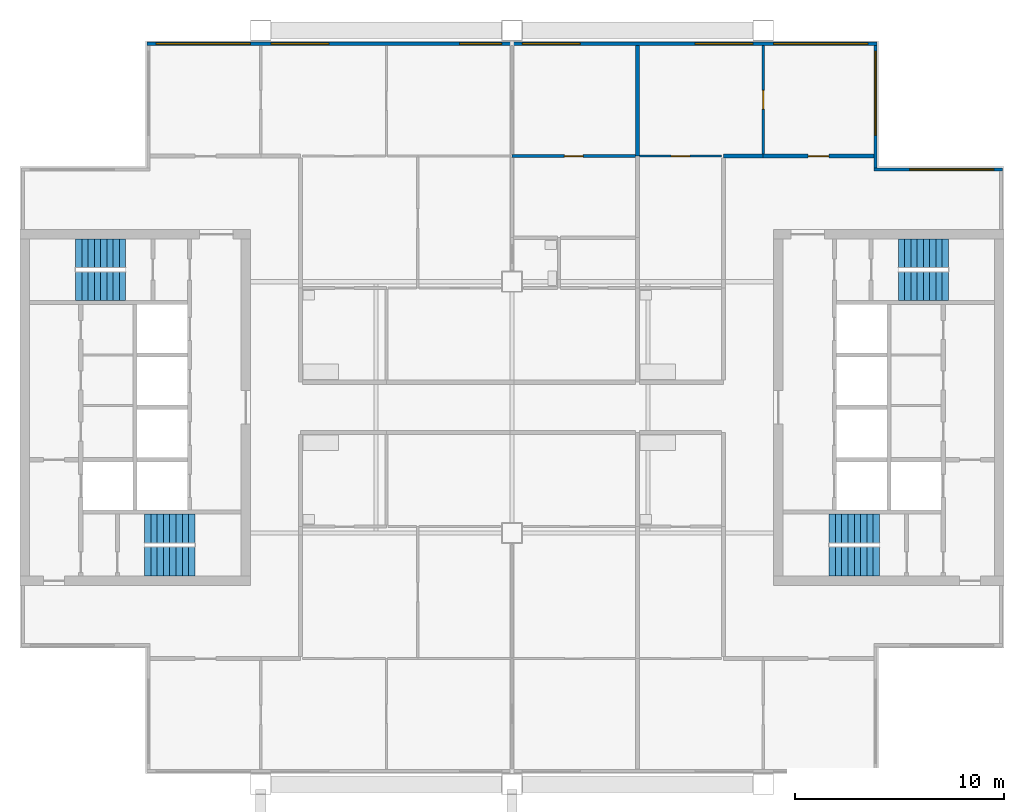
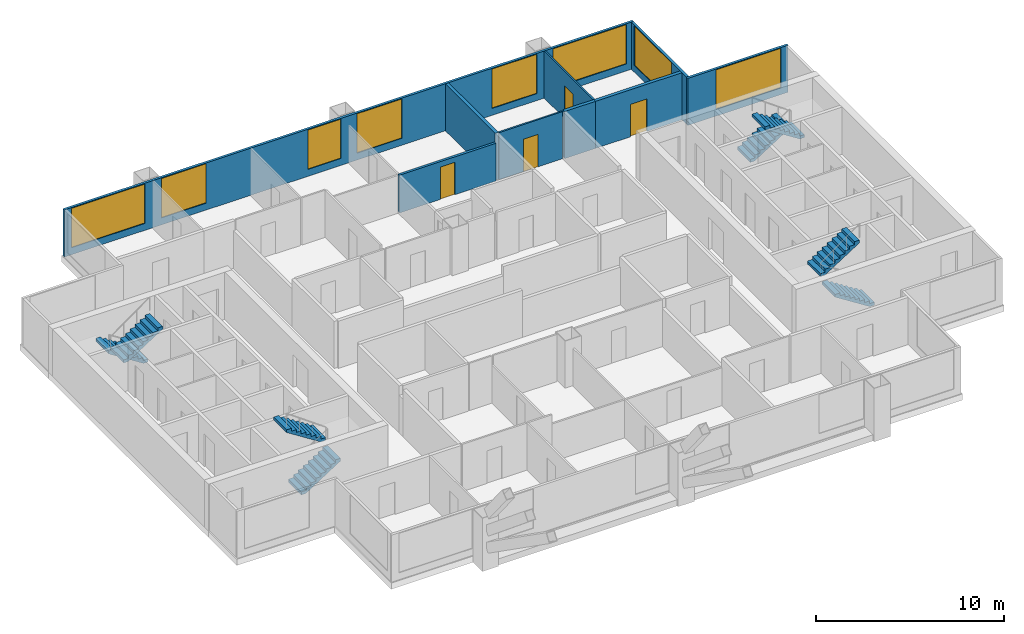
# One storey, part 6 of 8: 9 walls, 8 stair flights, 8 windows, 4 doors, 12 openings, 4 elements without a shape of their own.
"""IFC4 building model written with IfcOpenShell, lengths in metres."""

import ifcopenshell
import ifcopenshell.guid

model = None  # the IFC model being written
_history = None  # IfcOwnerHistory: only IFC2X3 demands one
_inside = {}  # id of a spatial element -> (the spatial element, [elements in it])
_under = {}  # id of a project, library or spatial element -> (it, [spatial elements below it])
_declared = {}  # id of a project -> (the project, [libraries it declares])
_typed = {}  # id of a type object -> (the type object, [elements of that type])
_made_of = {}  # id of a material, layer set ... -> (it, [elements and type objects made of it])


def new_model(schema):
    """Start an empty IFC model of exactly this schema.

    Asked for "IFC4X3", IfcOpenShell would pick the latest addendum, in which some entities
    have other attributes; the version numbers below select the first issue.
    IFC2X3 requires an IfcOwnerHistory on every rooted entity: one is made here for all.
    """
    global model, _history
    if schema == "IFC4X3":
        model = ifcopenshell.file(schema_version=(4, 3, 0, 0))
    else:
        model = ifcopenshell.file(schema=schema)
    _inside.clear()
    _under.clear()
    _declared.clear()
    _typed.clear()
    _made_of.clear()
    _history = None
    if model.schema == "IFC2X3":
        org = make("IfcOrganization", Name="unknown")
        user = make(
            "IfcPersonAndOrganization",
            ThePerson=make("IfcPerson", FamilyName="unknown"),
            TheOrganization=org,
        )
        app = make(
            "IfcApplication",
            ApplicationDeveloper=org,
            Version="unknown",
            ApplicationFullName="unknown",
            ApplicationIdentifier="unknown",
        )
        _history = make(
            "IfcOwnerHistory",
            OwningUser=user,
            OwningApplication=app,
            ChangeAction="ADDED",
            CreationDate=0,
        )
    return model


def make(cls, **values):
    """One entity of the class cls with the attributes given. An attribute that is None is left unset."""
    return model.create_entity(
        cls, **{name: value for name, value in values.items() if value is not None}
    )


def rooted(cls, **values):
    """An entity with a GlobalId (a new one), such as an element, a storey or a relation."""
    return make(cls, GlobalId=ifcopenshell.guid.new(), OwnerHistory=_history, **values)


def si_unit(unit_type, name, prefix=None):
    """IfcSIUnit, for example si_unit("LENGTHUNIT", "METRE", prefix="MILLI")."""
    return make("IfcSIUnit", UnitType=unit_type, Prefix=prefix, Name=name)


def assignment(units):
    """IfcUnitAssignment: the units of a project."""
    return None if units is None else make("IfcUnitAssignment", Units=units)


def point(xyz):
    """IfcCartesianPoint."""
    return None if xyz is None else make("IfcCartesianPoint", Coordinates=xyz)


def direction(xyz):
    """IfcDirection."""
    return None if xyz is None else make("IfcDirection", DirectionRatios=xyz)


def frame(location, z_axis=None, x_axis=None):
    """IfcAxis2Placement3D, a coordinate frame: its origin and axes. An axis left out is left unset."""
    return make(
        "IfcAxis2Placement3D",
        Location=point(location),
        Axis=direction(z_axis),
        RefDirection=direction(x_axis),
    )


def frame_2d(location, x_axis=None):
    """IfcAxis2Placement2D, a coordinate frame in the plane: its origin and x axis."""
    return make(
        "IfcAxis2Placement2D", Location=point(location), RefDirection=direction(x_axis)
    )


def origin():
    """The frame at (0, 0, 0) with its axes left unset."""
    return frame((0.0, 0.0, 0.0))


def place(relative_to, where):
    """IfcLocalPlacement: puts the frame where relative to a parent placement (None: the world)."""
    return make(
        "IfcLocalPlacement", PlacementRelTo=relative_to, RelativePlacement=where
    )


def context(
    kind, dimensions, precision=None, world=None, true_north=None, identifier=None
):
    """IfcGeometricRepresentationContext, for example the 3D "Model" context."""
    return make(
        "IfcGeometricRepresentationContext",
        ContextIdentifier=identifier,
        ContextType=kind,
        CoordinateSpaceDimension=dimensions,
        Precision=precision,
        WorldCoordinateSystem=world,
        TrueNorth=true_north,
    )


def subcontext(parent, identifier, kind, view, scale=None):
    """IfcGeometricRepresentationSubContext, for example "Body" below "Model"."""
    return make(
        "IfcGeometricRepresentationSubContext",
        ContextIdentifier=identifier,
        ContextType=kind,
        ParentContext=parent,
        TargetScale=scale,
        TargetView=view,
    )


def project(units=None, contexts=None):
    """IfcProject with its units and contexts."""
    return rooted(
        "IfcProject",
        Name="project",
        RepresentationContexts=contexts,
        UnitsInContext=assignment(units),
    )


def spatial(cls, under=None, at=None, **own):
    """A site, building, storey or space (cls), placed at a placement, below another one or the project."""
    s = rooted(cls, ObjectPlacement=at, **own)
    if under is not None:
        _under.setdefault(under.id(), (under, []))[1].append(s)
    return s


def polyline(points):
    """IfcPolyline through the points."""
    return make("IfcPolyline", Points=[point(p) for p in points])


def profile(cls, at=None, kind="AREA", **sizes):
    """A parametric profile (cls). Its sizes go by their IFC names, for example OverallWidth=200.0."""
    return make(cls, ProfileType=kind, Position=at, **sizes)


def rectangle(**sizes):
    """IfcRectangleProfileDef."""
    return profile("IfcRectangleProfileDef", **sizes)


def outline(outer, holes=None, kind="AREA"):
    """IfcArbitraryClosedProfileDef: a profile drawn as a closed curve; with holes, ...WithVoids."""
    if holes is None:
        return make("IfcArbitraryClosedProfileDef", ProfileType=kind, OuterCurve=outer)
    return make(
        "IfcArbitraryProfileDefWithVoids",
        ProfileType=kind,
        OuterCurve=outer,
        InnerCurves=holes,
    )


def extrude(swept, where, along, depth):
    """IfcExtrudedAreaSolid: the profile swept, set in the frame where, extruded along a direction by depth."""
    return make(
        "IfcExtrudedAreaSolid",
        SweptArea=swept,
        Position=where,
        ExtrudedDirection=direction(along),
        Depth=depth,
    )


def shape(context_of_items, identifier, shape_type, items):
    """IfcShapeRepresentation: the items that make up one representation, for example the "Body"."""
    return make(
        "IfcShapeRepresentation",
        ContextOfItems=context_of_items,
        RepresentationIdentifier=identifier,
        RepresentationType=shape_type,
        Items=items,
    )


def material(Name=None, Category=None):
    """IfcMaterial."""
    return make("IfcMaterial", Name=Name, Category=Category)


def layer(
    of_material, thickness, ventilated=None, Name=None, Category=None, Priority=None
):
    """IfcMaterialLayer: one layer of a wall or slab, of a material (None: an air gap)."""
    return make(
        "IfcMaterialLayer",
        Material=of_material,
        LayerThickness=thickness,
        IsVentilated=ventilated,
        Name=Name,
        Category=Category,
        Priority=Priority,
    )


def layer_set(layers, Name=None):
    """IfcMaterialLayerSet."""
    return make("IfcMaterialLayerSet", MaterialLayers=layers, LayerSetName=Name)


def made_of(thing, what):
    """Note that an element or type object is made of a material, layer set ...; save() writes the relation."""
    if what is not None:
        _made_of.setdefault(what.id(), (what, []))[1].append(thing)
    return thing


def type_object(cls, material=None, **own):
    """A type object (cls), such as IfcWallType, which elements share."""
    return made_of(rooted(cls, **own), material)


def element(
    cls,
    number,
    at=None,
    inside=None,
    cuts=None,
    type_object=None,
    material=None,
    context=None,
    identifier="Body",
    shape_type=None,
    held_by="IfcProductDefinitionShape",
    body=None,
    shapes=None,
    **own,
):
    """One element of the class cls, such as IfcWall. Its Tag is "e" and its number.

    at: its placement. inside: the storey or other place that contains it. cuts: it is an
    opening in that element (IfcRelVoidsElement). A single representation is given by context,
    identifier, shape_type and body (its items); several are given by shapes. held_by: the class
    of the entity that holds the representations. save() writes the other relations.
    """
    e = rooted(cls, Tag="e%d" % number, ObjectPlacement=at, **own)
    if body is not None:
        shapes = [shape(context, identifier, shape_type, body)]
    if shapes is not None:
        e.Representation = make(held_by, Representations=shapes)
    if inside is not None:
        _inside.setdefault(inside.id(), (inside, []))[1].append(e)
    if cuts is not None:
        rooted(
            "IfcRelVoidsElement", RelatingBuildingElement=cuts, RelatedOpeningElement=e
        )
    if type_object is not None:
        _typed.setdefault(type_object.id(), (type_object, []))[1].append(e)
    return made_of(e, material)


def fill(opening, filler):
    """IfcRelFillsElement: the door or window that sits in an opening."""
    return rooted(
        "IfcRelFillsElement",
        RelatingOpeningElement=opening,
        RelatedBuildingElement=filler,
    )


def aggregate(whole, parts):
    """IfcRelAggregates: a whole, such as a stair, and the parts it consists of."""
    return rooted("IfcRelAggregates", RelatingObject=whole, RelatedObjects=parts)


def save(model, path):
    """Write the relations noted so far, then the file.

    IfcRelAggregates (storeys below a building ...), IfcRelContainedInSpatialStructure (elements
    in a storey), IfcRelDefinesByType, IfcRelAssociatesMaterial and IfcRelDeclares: one each for
    every whole, place, type object, material and project.
    """
    for whole, parts in _under.values():
        aggregate(whole, parts)
    for where, things in _inside.values():
        rooted(
            "IfcRelContainedInSpatialStructure",
            RelatedElements=things,
            RelatingStructure=where,
        )
    for kind, things in _typed.values():
        rooted("IfcRelDefinesByType", RelatedObjects=things, RelatingType=kind)
    for what, things in _made_of.values():
        rooted("IfcRelAssociatesMaterial", RelatedObjects=things, RelatingMaterial=what)
    for by, libraries in _declared.values():
        rooted("IfcRelDeclares", RelatingContext=by, RelatedDefinitions=libraries)
    model.write(path)


model = new_model("IFC4")

# Units and contexts
model_context = context("Model", 3, precision=1e-05, world=origin(), true_north=direction((0.0, 1.0)))
body_context = subcontext(model_context, "Body", "Model", "MODEL_VIEW")
ifc_project = project(units=[si_unit("LENGTHUNIT", "METRE"), si_unit("AREAUNIT", "SQUARE_METRE"), si_unit("VOLUMEUNIT", "CUBIC_METRE"), si_unit("PLANEANGLEUNIT", "RADIAN"), si_unit("MASSUNIT", "GRAM", prefix="KILO")], contexts=[model_context])

# Site, building, storey
site_placement = place(None, origin())
site = spatial("IfcSite", under=ifc_project, at=site_placement, CompositionType="ELEMENT")
building_placement = place(site_placement, origin())
building = spatial("IfcBuilding", under=site, at=building_placement, Name="Kitamizu Gate Tower and Museum", CompositionType="ELEMENT")
storey_placement = place(building_placement, frame((0.0, 0.0, 266.25)))
storey = spatial("IfcBuildingStorey", under=building, at=storey_placement, Name="L72", CompositionType="ELEMENT", Elevation=266.25)

# Wall, opening, door
ifc_material_1 = material(Name="Gypsum board on galvanised stud")
ifc_layer_1 = layer(ifc_material_1, 0.10009765625)
ifc_layer_set_1 = layer_set([ifc_layer_1], Name="Gypsum board on galvanised stud")
wall_type_1 = type_object("IfcWallType", Name="Partition 100 NOT RATED", PredefinedType="PARTITIONING", material=ifc_layer_set_1)
wall_1_placement = place(storey_placement, frame((48.0, 42.10009765625, 0.0), z_axis=(0.0, 0.0, 1.0), x_axis=(0.0, 1.0, 0.0)))
wall_1 = element("IfcWall", 1, at=wall_1_placement, inside=storey, type_object=wall_type_1, Name="Partition L72-067", PredefinedType="PARTITIONING", context=body_context, shape_type="SweptSolid", body=[
    extrude(rectangle(XDim=5.179931640625, YDim=0.10009765625, at=frame_2d((2.58984375, 0.0))), origin(), (0.0, 0.0, 1.0), 3.050048828125),
])
opening_1_placement = place(wall_1_placement, frame((2.139892578125, 0.0, 0.0)))
opening_1 = element("IfcOpeningElement", 2, at=opening_1_placement, cuts=wall_1, Name="Opening L72-026", PredefinedType="OPENING", context=body_context, shape_type="SweptSolid", body=[
    extrude(rectangle(XDim=0.89990234375, YDim=2.10009765625, at=frame_2d((0.449951171875, 1.050048828125))), frame((0.0, 0.06005859375, 0.0), z_axis=(0.0, -1.0, 0.0), x_axis=(1.0, 0.0, 0.0)), (0.0, 0.0, 1.0), 0.1201171875),
])
ifc_material_2 = material(Name="Timber door set", Category="wood")
door_type_1 = type_object("IfcDoorType", Name="Room door 900", OperationType="NOTDEFINED", PredefinedType="DOOR", material=ifc_material_2)
door_1_placement = place(opening_1_placement, origin())
door_1 = element("IfcDoor", 3, at=door_1_placement, inside=storey, type_object=door_type_1, Name="Door L72-026", OperationType="SINGLE_SWING_LEFT", OverallHeight=2.10009765625, OverallWidth=0.89990234375, PredefinedType="DOOR", context=body_context, shape_type="SweptSolid", body=[
    extrude(rectangle(XDim=0.89990234375, YDim=2.10009765625, at=frame_2d((0.449951171875, 1.050048828125))), frame((0.0, 0.02490234375, 0.0), z_axis=(0.0, -1.0, 0.0), x_axis=(1.0, 0.0, 0.0)), (0.0, 0.0, 1.0), 0.050048828125),
])
fill(opening_1, door_1)

wall_2_placement = place(storey_placement, frame((42.10009765625, 42.0, 0.0), z_axis=(0.0, 0.0, 1.0), x_axis=(1.0, 0.0, 0.0)))
wall_2 = element("IfcWall", 4, at=wall_2_placement, inside=storey, type_object=wall_type_1, Name="Partition L72-068", PredefinedType="PARTITIONING", context=body_context, shape_type="SweptSolid", body=[
    extrude(rectangle(XDim=3.89990234375, YDim=0.10009765625, at=frame_2d((1.949951171875, 0.0))), origin(), (0.0, 0.0, 1.0), 3.050048828125),
])
opening_2_placement = place(wall_2_placement, frame((1.5, 0.0, 0.0)))
opening_2 = element("IfcOpeningElement", 5, at=opening_2_placement, cuts=wall_2, Name="Opening L72-027", PredefinedType="OPENING", context=body_context, shape_type="SweptSolid", body=[
    extrude(rectangle(XDim=0.89990234375, YDim=2.10009765625, at=frame_2d((0.449951171875, 1.050048828125))), frame((0.0, 0.06005859375, 0.0), z_axis=(0.0, -1.0, 0.0), x_axis=(1.0, 0.0, 0.0)), (0.0, 0.0, 1.0), 0.1201171875),
])
door_2_placement = place(opening_2_placement, frame((0.89990234375, 0.0, 0.0), x_axis=(-1.0, 0.0, 0.0)))
door_2 = element("IfcDoor", 6, at=door_2_placement, inside=storey, type_object=door_type_1, Name="Door L72-027", OperationType="SINGLE_SWING_LEFT", OverallHeight=2.10009765625, OverallWidth=0.89990234375, PredefinedType="DOOR", context=body_context, shape_type="SweptSolid", body=[
    extrude(rectangle(XDim=0.89990234375, YDim=2.10009765625, at=frame_2d((0.449951171875, 1.050048828125))), frame((0.0, 0.02490234375, 0.0), z_axis=(0.0, -1.0, 0.0), x_axis=(1.0, 0.0, 0.0)), (0.0, 0.0, 1.0), 0.050048828125),
])
fill(opening_2, door_2)

ifc_material_3 = material(Name="Gypsum board on galvanised stud")
ifc_layer_2 = layer(ifc_material_3, 0.14990234375)
ifc_layer_set_2 = layer_set([ifc_layer_2], Name="Gypsum board on galvanised stud")
wall_type_2 = type_object("IfcWallType", Name="Partition 150", PredefinedType="PARTITIONING", material=ifc_layer_set_2)
wall_3_placement = place(storey_placement, frame((36.0, 42.0, 0.0), z_axis=(0.0, 0.0, 1.0), x_axis=(1.0, 0.0, 0.0)))
wall_3 = element("IfcWall", 7, at=wall_3_placement, inside=storey, type_object=wall_type_2, Name="Partition L72-034", PredefinedType="PARTITIONING", context=body_context, shape_type="SweptSolid", body=[
    extrude(rectangle(XDim=5.89990234375, YDim=0.14990234375, at=frame_2d((2.949951171875, 0.0))), origin(), (0.0, 0.0, 1.0), 2.449951171875),
])
opening_3_placement = place(wall_3_placement, frame((2.5, 0.0, 0.0)))
opening_3 = element("IfcOpeningElement", 8, at=opening_3_placement, cuts=wall_3, Name="Opening L72-017", PredefinedType="OPENING", context=body_context, shape_type="SweptSolid", body=[
    extrude(rectangle(XDim=0.89990234375, YDim=2.10009765625, at=frame_2d((0.449951171875, 1.050048828125))), frame((0.0, 0.0849609375, 0.0), z_axis=(0.0, -1.0, 0.0), x_axis=(1.0, 0.0, 0.0)), (0.0, 0.0, 1.0), 0.169921875),
])
ifc_material_4 = material(Name="Timber door set", Category="wood")
door_type_2 = type_object("IfcDoorType", Name="Bathroom door 900", OperationType="NOTDEFINED", PredefinedType="DOOR", material=ifc_material_4)
door_3_placement = place(opening_3_placement, frame((0.89990234375, 0.0, 0.0), x_axis=(-1.0, 0.0, 0.0)))
door_3 = element("IfcDoor", 9, at=door_3_placement, inside=storey, type_object=door_type_2, Name="Bathroom door L72-017", OperationType="SINGLE_SWING_LEFT", OverallHeight=2.10009765625, OverallWidth=0.89990234375, PredefinedType="DOOR", context=body_context, shape_type="SweptSolid", body=[
    extrude(rectangle(XDim=0.89990234375, YDim=2.10009765625, at=frame_2d((0.449951171875, 1.050048828125))), frame((0.0, 0.02490234375, 0.0), z_axis=(0.0, -1.0, 0.0), x_axis=(1.0, 0.0, 0.0)), (0.0, 0.0, 1.0), 0.050048828125),
])
fill(opening_3, door_3)

# Walls
ifc_material_5 = material(Name="Gypsum board on galvanised stud")
ifc_layer_3 = layer(ifc_material_5, 0.199951171875)
ifc_layer_set_3 = layer_set([ifc_layer_3], Name="Gypsum board on galvanised stud")
wall_type_3 = type_object("IfcWallType", Name="Partition 200", PredefinedType="PARTITIONING", material=ifc_layer_set_3)
wall_4_placement = place(storey_placement, frame((42.0, 42.0, 0.0), z_axis=(0.0, 0.0, 1.0), x_axis=(0.0, 1.0, 0.0)))
element("IfcWall", 10, at=wall_4_placement, inside=storey, type_object=wall_type_3, Name="Partition L72-035", PredefinedType="PARTITIONING", context=body_context, shape_type="SweptSolid", body=[
    extrude(rectangle(XDim=5.280029296875, YDim=0.199951171875, at=frame_2d((2.64013671875, 0.0))), origin(), (0.0, 0.0, 1.0), 3.050048828125),
])
wall_5_placement = place(storey_placement, frame((46.10009765625, 42.0, 0.0), z_axis=(0.0, 0.0, 1.0), x_axis=(1.0, 0.0, 0.0)))
element("IfcWall", 11, at=wall_5_placement, inside=storey, type_object=wall_type_3, Name="Partition L72-069", PredefinedType="PARTITIONING", context=body_context, shape_type="SweptSolid", body=[
    extrude(rectangle(XDim=1.89990234375, YDim=0.199951171875, at=frame_2d((0.949951171875, 0.0))), origin(), (0.0, 0.0, 1.0), 3.050048828125),
])

# Wall, opening, door
wall_6_placement = place(storey_placement, frame((48.0, 42.0, 0.0), z_axis=(0.0, 0.0, 1.0), x_axis=(1.0, 0.0, 0.0)))
wall_6 = element("IfcWall", 12, at=wall_6_placement, inside=storey, type_object=wall_type_3, Name="Partition L72-070", PredefinedType="PARTITIONING", context=body_context, shape_type="SweptSolid", body=[
    extrude(rectangle(XDim=5.280029296875, YDim=0.199951171875, at=frame_2d((2.64013671875, 0.0))), origin(), (0.0, 0.0, 1.0), 3.050048828125),
])
opening_4_placement = place(wall_6_placement, frame((2.139892578125, 0.0, 0.0)))
opening_4 = element("IfcOpeningElement", 13, at=opening_4_placement, cuts=wall_6, Name="Opening L72-025", PredefinedType="OPENING", context=body_context, shape_type="SweptSolid", body=[
    extrude(rectangle(XDim=1.0, YDim=2.10009765625, at=frame_2d((0.5, 1.050048828125))), frame((0.0, 0.10986328125, 0.0), z_axis=(0.0, -1.0, 0.0), x_axis=(1.0, 0.0, 0.0)), (0.0, 0.0, 1.0), 0.219970703125),
])
ifc_material_6 = material(Name="Timber door set", Category="wood")
door_type_3 = type_object("IfcDoorType", Name="Flat entrance door 1000", OperationType="NOTDEFINED", PredefinedType="DOOR", material=ifc_material_6)
door_4_placement = place(opening_4_placement, origin())
door_4 = element("IfcDoor", 14, at=door_4_placement, inside=storey, type_object=door_type_3, Name="Flat entrance door L72-025", OperationType="SINGLE_SWING_RIGHT", OverallHeight=2.10009765625, OverallWidth=1.0, PredefinedType="DOOR", context=body_context, shape_type="SweptSolid", body=[
    extrude(rectangle(XDim=1.0, YDim=2.10009765625, at=frame_2d((0.5, 1.050048828125))), frame((0.0, 0.02490234375, 0.0), z_axis=(0.0, -1.0, 0.0), x_axis=(1.0, 0.0, 0.0)), (0.0, 0.0, 1.0), 0.050048828125),
])
fill(opening_4, door_4)

# Wall, opening, window
ifc_material_7 = material(Name="Bronze anodised aluminium frame with insulated spandrel and tinted glass", Category="aluminium")
ifc_layer_4 = layer(ifc_material_7, 0.14990234375)
ifc_layer_set_4 = layer_set([ifc_layer_4], Name="Bronze anodised aluminium frame with insulated spandrel and tinted glass")
wall_type_4 = type_object("IfcWallType", Name="WINDOW WALL 150 BRONZE FRAME EI 30", PredefinedType="ELEMENTEDWALL", material=ifc_layer_set_4)
wall_7_placement = place(storey_placement, frame((53.2900390625, 41.364990234375, 0.0), z_axis=(0.0, 0.0, 1.0), x_axis=(1.0, 0.0, 0.0)))
wall_7 = element("IfcWall", 15, at=wall_7_placement, inside=storey, type_object=wall_type_4, Name="Window wall north L72", PredefinedType="ELEMENTEDWALL", context=body_context, shape_type="SweptSolid", body=[
    extrude(rectangle(XDim=6.14990234375, YDim=0.14990234375, at=frame_2d((3.074951171875, 0.0))), origin(), (0.0, 0.0, 1.0), 3.050048828125),
])
opening_5_placement = place(wall_7_placement, frame((1.7099609375, 0.0, 0.449951171875)))
opening_5 = element("IfcOpeningElement", 16, at=opening_5_placement, cuts=wall_7, Name="Opening W16", PredefinedType="OPENING", context=body_context, shape_type="SweptSolid", body=[
    extrude(rectangle(XDim=4.0, YDim=2.550048828125, at=frame_2d((2.0, 1.27490234375))), frame((0.0, 0.0849609375, 0.0), z_axis=(0.0, -1.0, 0.0), x_axis=(1.0, 0.0, 0.0)), (0.0, 0.0, 1.0), 0.169921875),
])
ifc_material_8 = material(Name="Bronze anodised aluminium frame, tinted triple glazing", Category="aluminium")
window_type_1 = type_object("IfcWindowType", Name="WINDOW 4000 x 2550 SILL 450", PartitioningType="SINGLE_PANEL", PredefinedType="WINDOW", material=ifc_material_8)
window_1_placement = place(opening_5_placement, origin())
window_1 = element("IfcWindow", 17, at=window_1_placement, inside=storey, type_object=window_type_1, Name="Window W16 L72", OverallHeight=2.550048828125, OverallWidth=4.0, PartitioningType="SINGLE_PANEL", PredefinedType="WINDOW", context=body_context, shape_type="SweptSolid", body=[
    extrude(rectangle(XDim=4.0, YDim=2.550048828125, at=frame_2d((2.0, 1.27490234375))), frame((0.0, 0.030029296875, 0.0), z_axis=(0.0, -1.0, 0.0), x_axis=(1.0, 0.0, 0.0)), (0.0, 0.0, 1.0), 0.06005859375),
])
fill(opening_5, window_1)

wall_8_placement = place(storey_placement, frame((53.364990234375, 41.43994140625, 0.0), z_axis=(0.0, 0.0, 1.0), x_axis=(0.0, 1.0, 0.0)))
wall_8 = element("IfcWall", 18, at=wall_8_placement, inside=storey, type_object=wall_type_4, Name="Window wall east L72", PredefinedType="ELEMENTEDWALL", context=body_context, shape_type="SweptSolid", body=[
    extrude(rectangle(XDim=5.85009765625, YDim=0.14990234375, at=frame_2d((2.925048828125, 0.0))), origin(), (0.0, 0.0, 1.0), 3.050048828125),
])
opening_6_placement = place(wall_8_placement, frame((1.56005859375, 0.0, 0.449951171875)))
opening_6 = element("IfcOpeningElement", 19, at=opening_6_placement, cuts=wall_8, Name="Opening W16", PredefinedType="OPENING", context=body_context, shape_type="SweptSolid", body=[
    extrude(rectangle(XDim=4.0, YDim=2.550048828125, at=frame_2d((2.0, 1.27490234375))), frame((0.0, 0.0849609375, 0.0), z_axis=(0.0, -1.0, 0.0), x_axis=(1.0, 0.0, 0.0)), (0.0, 0.0, 1.0), 0.169921875),
])
window_2_placement = place(opening_6_placement, origin())
window_2 = element("IfcWindow", 20, at=window_2_placement, inside=storey, type_object=window_type_1, Name="Window W16 L72", OverallHeight=2.550048828125, OverallWidth=4.0, PartitioningType="SINGLE_PANEL", PredefinedType="WINDOW", context=body_context, shape_type="SweptSolid", body=[
    extrude(rectangle(XDim=4.0, YDim=2.550048828125, at=frame_2d((2.0, 1.27490234375))), frame((0.0, 0.030029296875, 0.0), z_axis=(0.0, -1.0, 0.0), x_axis=(1.0, 0.0, 0.0)), (0.0, 0.0, 1.0), 0.06005859375),
])
fill(opening_6, window_2)

# Wall, openings, windows
wall_9_placement = place(storey_placement, frame((18.56005859375, 47.364990234375, 0.0), z_axis=(0.0, 0.0, 1.0), x_axis=(1.0, 0.0, 0.0)))
wall_9 = element("IfcWall", 21, at=wall_9_placement, inside=storey, type_object=wall_type_4, Name="Window wall north L72", PredefinedType="ELEMENTEDWALL", context=body_context, shape_type="SweptSolid", body=[
    extrude(rectangle(XDim=34.8798828125, YDim=0.14990234375, at=frame_2d((17.43994140625, 0.0))), origin(), (0.0, 0.0, 1.0), 3.050048828125),
])
opening_7_placement = place(wall_9_placement, frame((0.43994140625, 0.0, 0.449951171875)))
opening_7 = element("IfcOpeningElement", 22, at=opening_7_placement, cuts=wall_9, Name="Opening W15", PredefinedType="OPENING", context=body_context, shape_type="SweptSolid", body=[
    extrude(rectangle(XDim=4.5, YDim=2.550048828125, at=frame_2d((2.25, 1.27490234375))), frame((0.0, 0.0849609375, 0.0), z_axis=(0.0, -1.0, 0.0), x_axis=(1.0, 0.0, 0.0)), (0.0, 0.0, 1.0), 0.169921875),
])
opening_8_placement = place(wall_9_placement, frame((5.93994140625, 0.0, 0.449951171875)))
opening_8 = element("IfcOpeningElement", 23, at=opening_8_placement, cuts=wall_9, Name="Opening W32", PredefinedType="OPENING", context=body_context, shape_type="SweptSolid", body=[
    extrude(rectangle(XDim=2.75, YDim=2.550048828125, at=frame_2d((1.375, 1.27490234375))), frame((0.0, 0.0849609375, 0.0), z_axis=(0.0, -1.0, 0.0), x_axis=(1.0, 0.0, 0.0)), (0.0, 0.0, 1.0), 0.169921875),
])
opening_9_placement = place(wall_9_placement, frame((14.93994140625, 0.0, 0.449951171875)))
opening_9 = element("IfcOpeningElement", 24, at=opening_9_placement, cuts=wall_9, Name="Opening W2", PredefinedType="OPENING", context=body_context, shape_type="SweptSolid", body=[
    extrude(rectangle(XDim=2.0, YDim=2.550048828125, at=frame_2d((1.0, 1.27490234375))), frame((0.0, 0.0849609375, 0.0), z_axis=(0.0, -1.0, 0.0), x_axis=(1.0, 0.0, 0.0)), (0.0, 0.0, 1.0), 0.169921875),
])
opening_10_placement = place(wall_9_placement, frame((17.93994140625, 0.0, 0.449951171875)))
opening_10 = element("IfcOpeningElement", 25, at=opening_10_placement, cuts=wall_9, Name="Opening W32", PredefinedType="OPENING", context=body_context, shape_type="SweptSolid", body=[
    extrude(rectangle(XDim=2.75, YDim=2.550048828125, at=frame_2d((1.375, 1.27490234375))), frame((0.0, 0.0849609375, 0.0), z_axis=(0.0, -1.0, 0.0), x_axis=(1.0, 0.0, 0.0)), (0.0, 0.0, 1.0), 0.169921875),
])
opening_11_placement = place(wall_9_placement, frame((26.18994140625, 0.0, 0.449951171875)))
opening_11 = element("IfcOpeningElement", 26, at=opening_11_placement, cuts=wall_9, Name="Opening W32", PredefinedType="OPENING", context=body_context, shape_type="SweptSolid", body=[
    extrude(rectangle(XDim=2.75, YDim=2.550048828125, at=frame_2d((1.375, 1.27490234375))), frame((0.0, 0.0849609375, 0.0), z_axis=(0.0, -1.0, 0.0), x_axis=(1.0, 0.0, 0.0)), (0.0, 0.0, 1.0), 0.169921875),
])
opening_12_placement = place(wall_9_placement, frame((29.93994140625, 0.0, 0.449951171875)))
opening_12 = element("IfcOpeningElement", 27, at=opening_12_placement, cuts=wall_9, Name="Opening W15", PredefinedType="OPENING", context=body_context, shape_type="SweptSolid", body=[
    extrude(rectangle(XDim=4.5, YDim=2.550048828125, at=frame_2d((2.25, 1.27490234375))), frame((0.0, 0.0849609375, 0.0), z_axis=(0.0, -1.0, 0.0), x_axis=(1.0, 0.0, 0.0)), (0.0, 0.0, 1.0), 0.169921875),
])
ifc_material_9 = material(Name="Bronze anodised aluminium frame, tinted triple glazing", Category="aluminium")
window_type_2 = type_object("IfcWindowType", Name="WINDOW 2000 x 2550 SILL 450", PartitioningType="SINGLE_PANEL", PredefinedType="WINDOW", material=ifc_material_9)
window_3_placement = place(opening_9_placement, origin())
window_3 = element("IfcWindow", 28, at=window_3_placement, inside=storey, type_object=window_type_2, Name="Window W2 L72", OverallHeight=2.550048828125, OverallWidth=2.0, PartitioningType="SINGLE_PANEL", PredefinedType="WINDOW", context=body_context, shape_type="SweptSolid", body=[
    extrude(rectangle(XDim=2.0, YDim=2.550048828125, at=frame_2d((1.0, 1.27490234375))), frame((0.0, 0.030029296875, 0.0), z_axis=(0.0, -1.0, 0.0), x_axis=(1.0, 0.0, 0.0)), (0.0, 0.0, 1.0), 0.06005859375),
])
fill(opening_9, window_3)
ifc_material_10 = material(Name="Bronze anodised aluminium frame, tinted triple glazing", Category="aluminium")
window_type_3 = type_object("IfcWindowType", Name="WINDOW 2750 x 2550 SILL 450", PartitioningType="SINGLE_PANEL", PredefinedType="WINDOW", material=ifc_material_10)
window_4_placement = place(opening_8_placement, origin())
window_4 = element("IfcWindow", 29, at=window_4_placement, inside=storey, type_object=window_type_3, Name="Window W32 L72", OverallHeight=2.550048828125, OverallWidth=2.75, PartitioningType="SINGLE_PANEL", PredefinedType="WINDOW", context=body_context, shape_type="SweptSolid", body=[
    extrude(rectangle(XDim=2.75, YDim=2.550048828125, at=frame_2d((1.375, 1.27490234375))), frame((0.0, 0.030029296875, 0.0), z_axis=(0.0, -1.0, 0.0), x_axis=(1.0, 0.0, 0.0)), (0.0, 0.0, 1.0), 0.06005859375),
])
fill(opening_8, window_4)
window_5_placement = place(opening_10_placement, origin())
window_5 = element("IfcWindow", 30, at=window_5_placement, inside=storey, type_object=window_type_3, Name="Window W32 L72", OverallHeight=2.550048828125, OverallWidth=2.75, PartitioningType="SINGLE_PANEL", PredefinedType="WINDOW", context=body_context, shape_type="SweptSolid", body=[
    extrude(rectangle(XDim=2.75, YDim=2.550048828125, at=frame_2d((1.375, 1.27490234375))), frame((0.0, 0.030029296875, 0.0), z_axis=(0.0, -1.0, 0.0), x_axis=(1.0, 0.0, 0.0)), (0.0, 0.0, 1.0), 0.06005859375),
])
fill(opening_10, window_5)
window_6_placement = place(opening_11_placement, origin())
window_6 = element("IfcWindow", 31, at=window_6_placement, inside=storey, type_object=window_type_3, Name="Window W32 L72", OverallHeight=2.550048828125, OverallWidth=2.75, PartitioningType="SINGLE_PANEL", PredefinedType="WINDOW", context=body_context, shape_type="SweptSolid", body=[
    extrude(rectangle(XDim=2.75, YDim=2.550048828125, at=frame_2d((1.375, 1.27490234375))), frame((0.0, 0.030029296875, 0.0), z_axis=(0.0, -1.0, 0.0), x_axis=(1.0, 0.0, 0.0)), (0.0, 0.0, 1.0), 0.06005859375),
])
fill(opening_11, window_6)
ifc_material_11 = material(Name="Bronze anodised aluminium frame, tinted triple glazing", Category="aluminium")
window_type_4 = type_object("IfcWindowType", Name="WINDOW 4500 x 2550 SILL 450", PartitioningType="SINGLE_PANEL", PredefinedType="WINDOW", material=ifc_material_11)
window_7_placement = place(opening_7_placement, origin())
window_7 = element("IfcWindow", 32, at=window_7_placement, inside=storey, type_object=window_type_4, Name="Window W15 L72", OverallHeight=2.550048828125, OverallWidth=4.5, PartitioningType="SINGLE_PANEL", PredefinedType="WINDOW", context=body_context, shape_type="SweptSolid", body=[
    extrude(rectangle(XDim=4.5, YDim=2.550048828125, at=frame_2d((2.25, 1.27490234375))), frame((0.0, 0.030029296875, 0.0), z_axis=(0.0, -1.0, 0.0), x_axis=(1.0, 0.0, 0.0)), (0.0, 0.0, 1.0), 0.06005859375),
])
fill(opening_7, window_7)
window_8_placement = place(opening_12_placement, origin())
window_8 = element("IfcWindow", 33, at=window_8_placement, inside=storey, type_object=window_type_4, Name="Window W15 L72", OverallHeight=2.550048828125, OverallWidth=4.5, PartitioningType="SINGLE_PANEL", PredefinedType="WINDOW", context=body_context, shape_type="SweptSolid", body=[
    extrude(rectangle(XDim=4.5, YDim=2.550048828125, at=frame_2d((2.25, 1.27490234375))), frame((0.0, 0.030029296875, 0.0), z_axis=(0.0, -1.0, 0.0), x_axis=(1.0, 0.0, 0.0)), (0.0, 0.0, 1.0), 0.06005859375),
])
fill(opening_12, window_8)

# Stair, stair flights
ifc_material_12 = material(Name="Concrete Fc42", Category="concrete")
stair_type = type_object("IfcStairType", Name="Exit stair 1375 wide 192 rise 300 going", PredefinedType="HALF_TURN_STAIR", material=ifc_material_12)
stair_1_placement = place(storey_placement, origin())
stair_1 = element("IfcStair", 34, at=stair_1_placement, inside=storey, type_object=stair_type, Name="Exit stair ST1", PredefinedType="HALF_TURN_STAIR")
ifc_material_13 = material(Name="Concrete Fc42", Category="concrete")
stair_flight_type = type_object("IfcStairFlightType", Name="Stair flight 1375 wide 192 rise 300 going", PredefinedType="STRAIGHT", material=ifc_material_13)
stair_flight_1_placement = place(storey_placement, frame((18.449951171875, 22.637451171875, 0.0), z_axis=(0.0, 0.0, 1.0), x_axis=(1.0, 0.0, 0.0)))
stair_flight_1 = element("IfcStairFlight", 35, at=stair_flight_1_placement, type_object=stair_flight_type, Name="ST1 flight 1", NumberOfRisers=9, NumberOfTreads=8, PredefinedType="STRAIGHT", RiserHeight=0.191666667, TreadLength=0.3, context=body_context, shape_type="SweptSolid", body=[
    extrude(outline(polyline([(0.0, 0.0), (0.0, 0.191650390625), (0.300048828125, 0.191650390625), (0.300048828125, 0.38330078125), (0.60009765625, 0.38330078125), (0.60009765625, 0.574951171875), (0.89990234375, 0.574951171875), (0.89990234375, 0.7666015625), (1.199951171875, 0.7666015625), (1.199951171875, 0.958251953125), (1.5, 0.958251953125), (1.5, 1.14990234375), (1.800048828125, 1.14990234375), (1.800048828125, 1.341552734375), (2.10009765625, 1.341552734375), (2.10009765625, 1.533447265625), (2.39990234375, 1.533447265625), (2.39990234375, 1.72509765625), (2.39990234375, 1.35546875), (0.2783203125, 0.0), (0.0, 0.0)])), frame((0.0, 0.6875, 0.0), z_axis=(0.0, -1.0, 0.0), x_axis=(1.0, 0.0, 0.0)), (0.0, 0.0, 1.0), 1.375),
])
stair_flight_2_placement = place(storey_placement, frame((20.85009765625, 24.21240234375, 1.72509765625), z_axis=(0.0, 0.0, 1.0), x_axis=(-1.0, 0.0, 0.0)))
stair_flight_2 = element("IfcStairFlight", 36, at=stair_flight_2_placement, type_object=stair_flight_type, Name="ST1 flight 2", NumberOfRisers=9, NumberOfTreads=8, PredefinedType="STRAIGHT", RiserHeight=0.191666667, TreadLength=0.3, context=body_context, shape_type="SweptSolid", body=[
    extrude(outline(polyline([(0.0, 0.0), (0.0, 0.191650390625), (0.300048828125, 0.191650390625), (0.300048828125, 0.38330078125), (0.60009765625, 0.38330078125), (0.60009765625, 0.574951171875), (0.89990234375, 0.574951171875), (0.89990234375, 0.7666015625), (1.199951171875, 0.7666015625), (1.199951171875, 0.958251953125), (1.5, 0.958251953125), (1.5, 1.14990234375), (1.800048828125, 1.14990234375), (1.800048828125, 1.341552734375), (2.10009765625, 1.341552734375), (2.10009765625, 1.533447265625), (2.39990234375, 1.533447265625), (2.39990234375, 1.72509765625), (2.39990234375, 1.35546875), (0.2783203125, 0.0), (0.0, 0.0)])), frame((0.0, 0.6875, 0.0), z_axis=(0.0, -1.0, 0.0), x_axis=(1.0, 0.0, 0.0)), (0.0, 0.0, 1.0), 1.375),
])
aggregate(stair_1, [stair_flight_1, stair_flight_2])

stair_2_placement = place(storey_placement, origin())
stair_2 = element("IfcStair", 37, at=stair_2_placement, inside=storey, type_object=stair_type, Name="Exit stair ST2", PredefinedType="HALF_TURN_STAIR")
stair_flight_3_placement = place(storey_placement, frame((17.550048828125, 37.362548828125, 0.0), z_axis=(0.0, 0.0, 1.0), x_axis=(-1.0, 0.0, 0.0)))
stair_flight_3 = element("IfcStairFlight", 38, at=stair_flight_3_placement, type_object=stair_flight_type, Name="ST2 flight 1", NumberOfRisers=9, NumberOfTreads=8, PredefinedType="STRAIGHT", RiserHeight=0.191666667, TreadLength=0.3, context=body_context, shape_type="SweptSolid", body=[
    extrude(outline(polyline([(0.0, 0.0), (0.0, 0.191650390625), (0.300048828125, 0.191650390625), (0.300048828125, 0.38330078125), (0.60009765625, 0.38330078125), (0.60009765625, 0.574951171875), (0.89990234375, 0.574951171875), (0.89990234375, 0.7666015625), (1.199951171875, 0.7666015625), (1.199951171875, 0.958251953125), (1.5, 0.958251953125), (1.5, 1.14990234375), (1.800048828125, 1.14990234375), (1.800048828125, 1.341552734375), (2.10009765625, 1.341552734375), (2.10009765625, 1.533447265625), (2.39990234375, 1.533447265625), (2.39990234375, 1.72509765625), (2.39990234375, 1.35546875), (0.2783203125, 0.0), (0.0, 0.0)])), frame((0.0, 0.6875, 0.0), z_axis=(0.0, -1.0, 0.0), x_axis=(1.0, 0.0, 0.0)), (0.0, 0.0, 1.0), 1.375),
])
stair_flight_4_placement = place(storey_placement, frame((15.14990234375, 35.78759765625, 1.72509765625), z_axis=(0.0, 0.0, 1.0), x_axis=(1.0, 0.0, 0.0)))
stair_flight_4 = element("IfcStairFlight", 39, at=stair_flight_4_placement, type_object=stair_flight_type, Name="ST2 flight 2", NumberOfRisers=9, NumberOfTreads=8, PredefinedType="STRAIGHT", RiserHeight=0.191666667, TreadLength=0.3, context=body_context, shape_type="SweptSolid", body=[
    extrude(outline(polyline([(0.0, 0.0), (0.0, 0.191650390625), (0.300048828125, 0.191650390625), (0.300048828125, 0.38330078125), (0.60009765625, 0.38330078125), (0.60009765625, 0.574951171875), (0.89990234375, 0.574951171875), (0.89990234375, 0.7666015625), (1.199951171875, 0.7666015625), (1.199951171875, 0.958251953125), (1.5, 0.958251953125), (1.5, 1.14990234375), (1.800048828125, 1.14990234375), (1.800048828125, 1.341552734375), (2.10009765625, 1.341552734375), (2.10009765625, 1.533447265625), (2.39990234375, 1.533447265625), (2.39990234375, 1.72509765625), (2.39990234375, 1.35546875), (0.2783203125, 0.0), (0.0, 0.0)])), frame((0.0, 0.6875, 0.0), z_axis=(0.0, -1.0, 0.0), x_axis=(1.0, 0.0, 0.0)), (0.0, 0.0, 1.0), 1.375),
])
aggregate(stair_2, [stair_flight_3, stair_flight_4])

stair_3_placement = place(storey_placement, origin())
stair_3 = element("IfcStair", 40, at=stair_3_placement, inside=storey, type_object=stair_type, Name="Exit stair ST3", PredefinedType="HALF_TURN_STAIR")
stair_flight_5_placement = place(storey_placement, frame((53.550048828125, 22.637451171875, 0.0), z_axis=(0.0, 0.0, 1.0), x_axis=(-1.0, 0.0, 0.0)))
stair_flight_5 = element("IfcStairFlight", 41, at=stair_flight_5_placement, type_object=stair_flight_type, Name="ST3 flight 1", NumberOfRisers=9, NumberOfTreads=8, PredefinedType="STRAIGHT", RiserHeight=0.191666667, TreadLength=0.3, context=body_context, shape_type="SweptSolid", body=[
    extrude(outline(polyline([(0.0, 0.0), (0.0, 0.191650390625), (0.300048828125, 0.191650390625), (0.300048828125, 0.38330078125), (0.60009765625, 0.38330078125), (0.60009765625, 0.574951171875), (0.89990234375, 0.574951171875), (0.89990234375, 0.7666015625), (1.199951171875, 0.7666015625), (1.199951171875, 0.958251953125), (1.5, 0.958251953125), (1.5, 1.14990234375), (1.800048828125, 1.14990234375), (1.800048828125, 1.341552734375), (2.10009765625, 1.341552734375), (2.10009765625, 1.533447265625), (2.39990234375, 1.533447265625), (2.39990234375, 1.72509765625), (2.39990234375, 1.35546875), (0.2783203125, 0.0), (0.0, 0.0)])), frame((0.0, 0.6875, 0.0), z_axis=(0.0, -1.0, 0.0), x_axis=(1.0, 0.0, 0.0)), (0.0, 0.0, 1.0), 1.375),
])
stair_flight_6_placement = place(storey_placement, frame((51.14990234375, 24.21240234375, 1.72509765625), z_axis=(0.0, 0.0, 1.0), x_axis=(1.0, 0.0, 0.0)))
stair_flight_6 = element("IfcStairFlight", 42, at=stair_flight_6_placement, type_object=stair_flight_type, Name="ST3 flight 2", NumberOfRisers=9, NumberOfTreads=8, PredefinedType="STRAIGHT", RiserHeight=0.191666667, TreadLength=0.3, context=body_context, shape_type="SweptSolid", body=[
    extrude(outline(polyline([(0.0, 0.0), (0.0, 0.191650390625), (0.300048828125, 0.191650390625), (0.300048828125, 0.38330078125), (0.60009765625, 0.38330078125), (0.60009765625, 0.574951171875), (0.89990234375, 0.574951171875), (0.89990234375, 0.7666015625), (1.199951171875, 0.7666015625), (1.199951171875, 0.958251953125), (1.5, 0.958251953125), (1.5, 1.14990234375), (1.800048828125, 1.14990234375), (1.800048828125, 1.341552734375), (2.10009765625, 1.341552734375), (2.10009765625, 1.533447265625), (2.39990234375, 1.533447265625), (2.39990234375, 1.72509765625), (2.39990234375, 1.35546875), (0.2783203125, 0.0), (0.0, 0.0)])), frame((0.0, 0.6875, 0.0), z_axis=(0.0, -1.0, 0.0), x_axis=(1.0, 0.0, 0.0)), (0.0, 0.0, 1.0), 1.375),
])
aggregate(stair_3, [stair_flight_5, stair_flight_6])

stair_4_placement = place(storey_placement, origin())
stair_4 = element("IfcStair", 43, at=stair_4_placement, inside=storey, type_object=stair_type, Name="Exit stair ST4", PredefinedType="HALF_TURN_STAIR")
stair_flight_7_placement = place(storey_placement, frame((54.449951171875, 37.362548828125, 0.0), z_axis=(0.0, 0.0, 1.0), x_axis=(1.0, 0.0, 0.0)))
stair_flight_7 = element("IfcStairFlight", 44, at=stair_flight_7_placement, type_object=stair_flight_type, Name="ST4 flight 1", NumberOfRisers=9, NumberOfTreads=8, PredefinedType="STRAIGHT", RiserHeight=0.191666667, TreadLength=0.3, context=body_context, shape_type="SweptSolid", body=[
    extrude(outline(polyline([(0.0, 0.0), (0.0, 0.191650390625), (0.300048828125, 0.191650390625), (0.300048828125, 0.38330078125), (0.60009765625, 0.38330078125), (0.60009765625, 0.574951171875), (0.89990234375, 0.574951171875), (0.89990234375, 0.7666015625), (1.199951171875, 0.7666015625), (1.199951171875, 0.958251953125), (1.5, 0.958251953125), (1.5, 1.14990234375), (1.800048828125, 1.14990234375), (1.800048828125, 1.341552734375), (2.10009765625, 1.341552734375), (2.10009765625, 1.533447265625), (2.39990234375, 1.533447265625), (2.39990234375, 1.72509765625), (2.39990234375, 1.35546875), (0.2783203125, 0.0), (0.0, 0.0)])), frame((0.0, 0.6875, 0.0), z_axis=(0.0, -1.0, 0.0), x_axis=(1.0, 0.0, 0.0)), (0.0, 0.0, 1.0), 1.375),
])
stair_flight_8_placement = place(storey_placement, frame((56.85009765625, 35.78759765625, 1.72509765625), z_axis=(0.0, 0.0, 1.0), x_axis=(-1.0, 0.0, 0.0)))
stair_flight_8 = element("IfcStairFlight", 45, at=stair_flight_8_placement, type_object=stair_flight_type, Name="ST4 flight 2", NumberOfRisers=9, NumberOfTreads=8, PredefinedType="STRAIGHT", RiserHeight=0.191666667, TreadLength=0.3, context=body_context, shape_type="SweptSolid", body=[
    extrude(outline(polyline([(0.0, 0.0), (0.0, 0.191650390625), (0.300048828125, 0.191650390625), (0.300048828125, 0.38330078125), (0.60009765625, 0.38330078125), (0.60009765625, 0.574951171875), (0.89990234375, 0.574951171875), (0.89990234375, 0.7666015625), (1.199951171875, 0.7666015625), (1.199951171875, 0.958251953125), (1.5, 0.958251953125), (1.5, 1.14990234375), (1.800048828125, 1.14990234375), (1.800048828125, 1.341552734375), (2.10009765625, 1.341552734375), (2.10009765625, 1.533447265625), (2.39990234375, 1.533447265625), (2.39990234375, 1.72509765625), (2.39990234375, 1.35546875), (0.2783203125, 0.0), (0.0, 0.0)])), frame((0.0, 0.6875, 0.0), z_axis=(0.0, -1.0, 0.0), x_axis=(1.0, 0.0, 0.0)), (0.0, 0.0, 1.0), 1.375),
])
aggregate(stair_4, [stair_flight_7, stair_flight_8])

save(model, "model.ifc")
